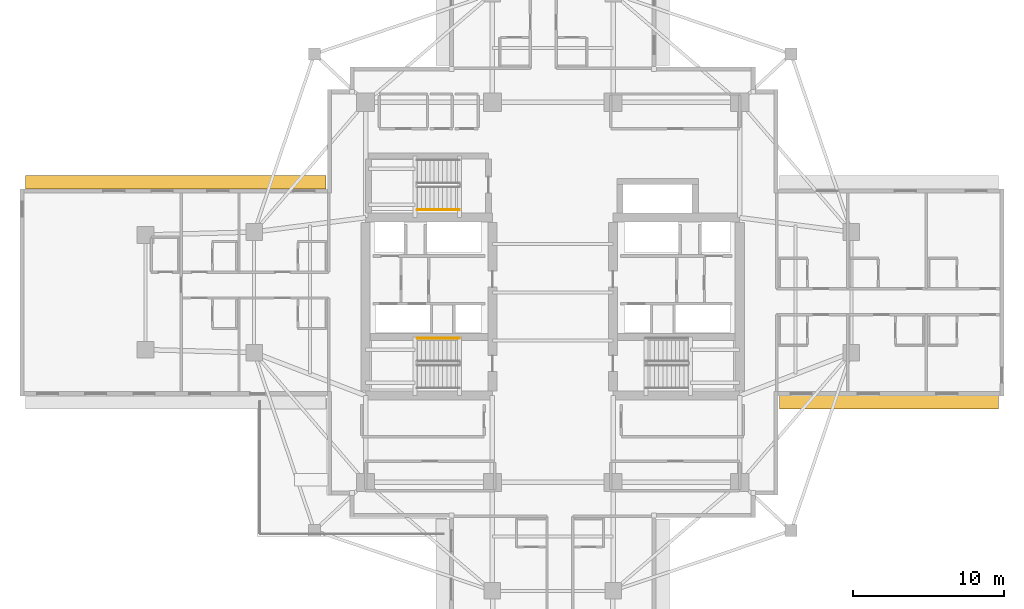
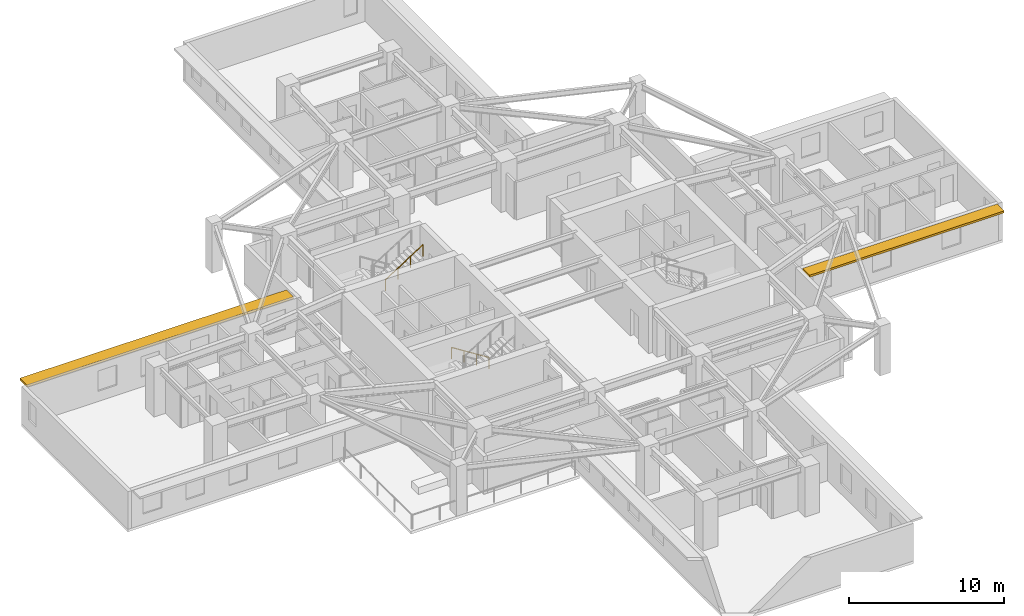
# One storey, part 11 of 13: 2 railings, 2 shading devices.
"""IFC4 building model written with IfcOpenShell, lengths in metres."""

from ifc_helpers import new_model, si_unit, direction, frame, origin, origin_2d, place, context, subcontext, project, spatial, rectangle, circle, extrude, material, layer, layer_set, type_object, element, save


model = new_model("IFC4")

# Units and contexts
model_context = context("Model", 3, precision=1e-05, world=origin(), true_north=direction((0.0, 1.0)))
body_context = subcontext(model_context, "Body", "Model", "MODEL_VIEW")
ifc_project = project(units=[si_unit("LENGTHUNIT", "METRE"), si_unit("AREAUNIT", "SQUARE_METRE"), si_unit("VOLUMEUNIT", "CUBIC_METRE"), si_unit("PLANEANGLEUNIT", "RADIAN"), si_unit("MASSUNIT", "GRAM", prefix="KILO")], contexts=[model_context])

# Site, building, storey
site_placement = place(None, origin())
site = spatial("IfcSite", under=ifc_project, at=site_placement, CompositionType="ELEMENT")
building_placement = place(site_placement, origin())
building = spatial("IfcBuilding", under=site, at=building_placement, Name="Qingluan Cross Belvedere", CompositionType="ELEMENT")
storey_placement = place(building_placement, frame((0.0, 0.0, 104.699951171875)))
storey = spatial("IfcBuildingStorey", under=building, at=storey_placement, Name="L26", CompositionType="ELEMENT", Elevation=104.699951171875)

# Shading devices
ifc_material_1 = material(Name="Precast concrete C45", Category="concrete")
ifc_layer = layer(ifc_material_1, 0.159912109375, Name="ConcreteSunshadeBand_900")
ifc_layer_set = layer_set([ifc_layer], Name="Precast concrete C45")
shading_device_type = type_object("IfcShadingDeviceType", Name="ConcreteSunshadeBand_900", PredefinedType="USERDEFINED", material=ifc_layer_set)
shading_device_1_placement = place(storey_placement, frame((22.2900390625, -7.2900390625, 2.7900390625), z_axis=(0.0, 0.0, 1.0), x_axis=(1.0, 0.0, 0.0)))
element("IfcShadingDevice", 1, at=shading_device_1_placement, inside=storey, type_object=shading_device_type, Name="Concrete SUNSHADE L26-EA", ObjectType="SUNSHADE", PredefinedType="USERDEFINED", context=body_context, shape_type="SweptSolid", body=[
    extrude(rectangle(XDim=14.5, YDim=0.89990234375, at=origin_2d()), origin(), (0.0, 0.0, 1.0), 0.159912109375),
])
shading_device_2_placement = place(storey_placement, frame((-24.989990234375, 7.2900390625, 2.7900390625), z_axis=(0.0, 0.0, 1.0), x_axis=(-1.0, 0.0, 0.0)))
element("IfcShadingDevice", 2, at=shading_device_2_placement, inside=storey, type_object=shading_device_type, Name="Concrete SUNSHADE L26-WA", ObjectType="SUNSHADE", PredefinedType="USERDEFINED", context=body_context, shape_type="SweptSolid", body=[
    extrude(rectangle(XDim=19.89990234375, YDim=0.89990234375, at=origin_2d()), origin(), (0.0, 0.0, 1.0), 0.159912109375),
])

# Railings
ifc_material_2 = material(Name="Brushed stainless steel tubular handrail", Category="steel")
railing_type = type_object("IfcRailingType", Name="StairPitchHandrail_900", PredefinedType="HANDRAIL", material=ifc_material_2)
railing_1_placement = place(storey_placement, frame((-6.179931640625, -3.050048828125, 0.17724609375)))
element("IfcRailing", 3, at=railing_1_placement, inside=storey, type_object=railing_type, Name="L26 ST1 stair handrail 1", PredefinedType="HANDRAIL", context=body_context, shape_type="SweptSolid", body=[
    extrude(circle(Radius=0.02392578125, at=origin_2d()), frame((0.0, 0.0, 0.8759765625), z_axis=(-0.844908973607, 0.0, 0.534910110503), x_axis=(0.0, -1.0, 0.0)), (0.0, 0.0, 1.0), 3.31396484375),
    extrude(circle(Radius=0.02099609375, at=origin_2d()), origin(), (0.0, 0.0, 1.0), 0.851806640625),
    extrude(circle(Radius=0.02099609375, at=origin_2d()), frame((-0.933349609375, 0.0, 0.5908203125)), (0.0, 0.0, 1.0), 0.851806640625),
    extrude(circle(Radius=0.02099609375, at=origin_2d()), frame((-1.86669921875, 0.0, 1.181884765625)), (0.0, 0.0, 1.0), 0.851806640625),
    extrude(circle(Radius=0.02099609375, at=origin_2d()), frame((-2.800048828125, 0.0, 1.772705078125)), (0.0, 0.0, 1.0), 0.851806640625),
])
railing_2_placement = place(storey_placement, frame((-8.97998046875, 5.469970703125, 2.12744140625)))
element("IfcRailing", 4, at=railing_2_placement, inside=storey, type_object=railing_type, Name="L26 ST3 stair handrail 2", PredefinedType="HANDRAIL", context=body_context, shape_type="SweptSolid", body=[
    extrude(circle(Radius=0.02392578125, at=origin_2d()), frame((0.0, 0.0, 0.8759765625), z_axis=(0.844908973607, 0.0, 0.534910110503), x_axis=(0.0, 1.0, 0.0)), (0.0, 0.0, 1.0), 3.31396484375),
    extrude(circle(Radius=0.02099609375, at=origin_2d()), origin(), (0.0, 0.0, 1.0), 0.851806640625),
    extrude(circle(Radius=0.02099609375, at=origin_2d()), frame((0.933349609375, 0.0, 0.5908203125)), (0.0, 0.0, 1.0), 0.851806640625),
    extrude(circle(Radius=0.02099609375, at=origin_2d()), frame((1.86669921875, 0.0, 1.181884765625)), (0.0, 0.0, 1.0), 0.851806640625),
    extrude(circle(Radius=0.02099609375, at=origin_2d()), frame((2.800048828125, 0.0, 1.772705078125)), (0.0, 0.0, 1.0), 0.851806640625),
])

save(model, "model.ifc")
